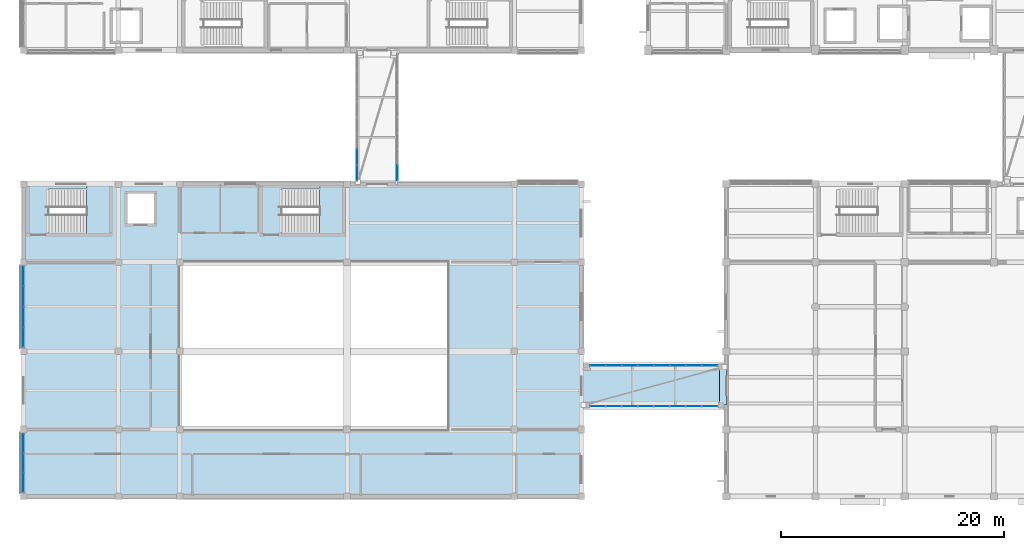
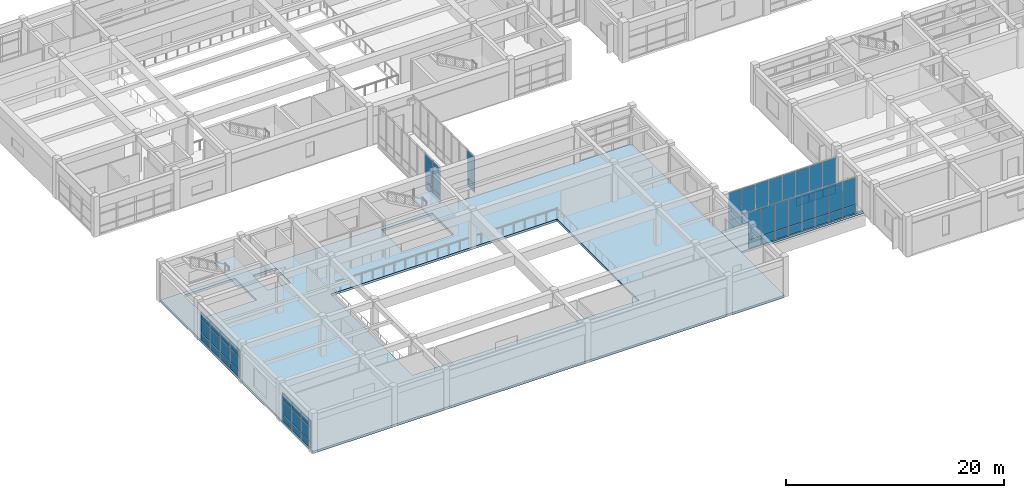
# One storey, part 37 of 72: 60 plates, 4 slabs, 8 elements without a shape of their own.
"""IFC4 building model written with IfcOpenShell, lengths in metres."""

from ifc_helpers import new_model, si_unit, direction, frame, origin, origin_2d, place, context, subcontext, project, spatial, polyline, rectangle, outline, extrude, material, layer, layer_set, type_object, element, aggregate, save


model = new_model("IFC4")

# Units and contexts
model_context = context("Model", 3, precision=1e-05, world=origin(), true_north=direction((0.0, 1.0)))
body_context = subcontext(model_context, "Body", "Model", "MODEL_VIEW")
ifc_project = project(units=[si_unit("LENGTHUNIT", "METRE"), si_unit("AREAUNIT", "SQUARE_METRE"), si_unit("VOLUMEUNIT", "CUBIC_METRE"), si_unit("PLANEANGLEUNIT", "RADIAN"), si_unit("MASSUNIT", "GRAM", prefix="KILO")], contexts=[model_context])

# Site, building, storey
site_placement = place(None, origin())
site = spatial("IfcSite", under=ifc_project, at=site_placement, CompositionType="ELEMENT")
building_placement = place(site_placement, origin())
building = spatial("IfcBuilding", under=site, at=building_placement, Name="Naurynzar Civic Courthouse", CompositionType="ELEMENT")
storey_placement = place(building_placement, frame((0.0, 0.0, 9.89990234375)))
storey = spatial("IfcBuildingStorey", under=building, at=storey_placement, Name="L03", CompositionType="ELEMENT", Elevation=9.89990234375)

# Curtain wall, plates
ifc_material_1 = material(Name="Aluminium 6063-T6", Category="aluminium")
ifc_layer_1 = layer(ifc_material_1, 0.14990234375)
ifc_layer_set_1 = layer_set([ifc_layer_1], Name="CW-BRIDGE-1500")
curtain_wall_type_1 = type_object("IfcCurtainWallType", Name="CW-BRIDGE-1500", PredefinedType="USERDEFINED", material=ifc_layer_set_1)
curtain_wall_1_placement = place(storey_placement, origin())
curtain_wall_1 = element("IfcCurtainWall", 1, at=curtain_wall_1_placement, inside=storey, type_object=curtain_wall_type_1, Name="BR-W1 glazed bridge screen L03.1", ObjectType="GLAZED BRIDGE SCREEN", PredefinedType="USERDEFINED")
ifc_material_2 = material(Name="Tempered Laminated Low-E Glass", Category="glass")
ifc_layer_2 = layer(ifc_material_2, 0.031982421875)
ifc_layer_set_2 = layer_set([ifc_layer_2], Name="CWP-IGU-32")
plate_type_1 = type_object("IfcPlateType", Name="CWP-IGU-32", PredefinedType="CURTAIN_PANEL", material=ifc_layer_set_2)
plate_1_placement = place(storey_placement, frame((35.8798828125, 34.4375, 0.06005859375), z_axis=(0.0, 0.0, 1.0), x_axis=(0.0, -1.0, 0.0)))
plate_1 = element("IfcPlate", 2, at=plate_1_placement, type_object=plate_type_1, Name="CW-03 panel 7.1", PredefinedType="CURTAIN_PANEL", context=body_context, shape_type="SweptSolid", body=[
    extrude(rectangle(XDim=1.364990234375, YDim=0.031982421875, at=origin_2d()), origin(), (0.0, 0.0, 1.0), 0.909912109375),
])
plate_2_placement = place(storey_placement, frame((35.8798828125, 34.4375, 1.0302734375), z_axis=(0.0, 0.0, 1.0), x_axis=(0.0, -1.0, 0.0)))
plate_2 = element("IfcPlate", 3, at=plate_2_placement, type_object=plate_type_1, Name="CW-03 panel 7.2", PredefinedType="CURTAIN_PANEL", context=body_context, shape_type="SweptSolid", body=[
    extrude(rectangle(XDim=1.364990234375, YDim=0.031982421875, at=origin_2d()), origin(), (0.0, 0.0, 1.0), 3.030029296875),
])
plate_3_placement = place(storey_placement, frame((35.8798828125, 33.027587890625, 0.06005859375), z_axis=(0.0, 0.0, 1.0), x_axis=(0.0, -1.0, 0.0)))
plate_3 = element("IfcPlate", 4, at=plate_3_placement, type_object=plate_type_1, Name="CW-03 panel 8.1", PredefinedType="CURTAIN_PANEL", context=body_context, shape_type="SweptSolid", body=[
    extrude(rectangle(XDim=1.3349609375, YDim=0.031982421875, at=origin_2d()), origin(), (0.0, 0.0, 1.0), 0.909912109375),
])
plate_4_placement = place(storey_placement, frame((35.8798828125, 33.027587890625, 1.0302734375), z_axis=(0.0, 0.0, 1.0), x_axis=(0.0, -1.0, 0.0)))
plate_4 = element("IfcPlate", 5, at=plate_4_placement, type_object=plate_type_1, Name="CW-03 panel 8.2", PredefinedType="CURTAIN_PANEL", context=body_context, shape_type="SweptSolid", body=[
    extrude(rectangle(XDim=1.3349609375, YDim=0.031982421875, at=origin_2d()), origin(), (0.0, 0.0, 1.0), 3.030029296875),
])
aggregate(curtain_wall_1, [plate_1, plate_2, plate_3, plate_4])

curtain_wall_2_placement = place(storey_placement, origin())
curtain_wall_2 = element("IfcCurtainWall", 6, at=curtain_wall_2_placement, inside=storey, type_object=curtain_wall_type_1, Name="BR-W1 glazed bridge screen L03.2", ObjectType="GLAZED BRIDGE SCREEN", PredefinedType="USERDEFINED")
plate_5_placement = place(storey_placement, frame((39.52001953125, 33.027587890625, 0.06005859375), z_axis=(0.0, 0.0, 1.0), x_axis=(0.0, 1.0, 0.0)))
plate_5 = element("IfcPlate", 7, at=plate_5_placement, type_object=plate_type_1, Name="CW-03 panel 1.1", PredefinedType="CURTAIN_PANEL", context=body_context, shape_type="SweptSolid", body=[
    extrude(rectangle(XDim=1.3349609375, YDim=0.031982421875, at=origin_2d()), origin(), (0.0, 0.0, 1.0), 0.909912109375),
])
plate_6_placement = place(storey_placement, frame((39.52001953125, 33.027587890625, 1.0302734375), z_axis=(0.0, 0.0, 1.0), x_axis=(0.0, 1.0, 0.0)))
plate_6 = element("IfcPlate", 8, at=plate_6_placement, type_object=plate_type_1, Name="CW-03 panel 1.2", PredefinedType="CURTAIN_PANEL", context=body_context, shape_type="SweptSolid", body=[
    extrude(rectangle(XDim=1.3349609375, YDim=0.031982421875, at=origin_2d()), origin(), (0.0, 0.0, 1.0), 3.030029296875),
])
aggregate(curtain_wall_2, [plate_5, plate_6])

curtain_wall_3_placement = place(storey_placement, origin())
curtain_wall_3 = element("IfcCurtainWall", 9, at=curtain_wall_3_placement, inside=storey, type_object=curtain_wall_type_1, Name="BR-S1 glazed bridge screen L03.1", ObjectType="GLAZED BRIDGE SCREEN", PredefinedType="USERDEFINED")
plate_7_placement = place(storey_placement, frame((57.492431640625, 12.080078125, 0.06005859375), z_axis=(0.0, 0.0, 1.0), x_axis=(1.0, 0.0, 0.0)))
plate_7 = element("IfcPlate", 10, at=plate_7_placement, type_object=plate_type_1, Name="CW-03 panel 1.1", PredefinedType="CURTAIN_PANEL", context=body_context, shape_type="SweptSolid", body=[
    extrude(rectangle(XDim=1.344970703125, YDim=0.031982421875, at=origin_2d()), origin(), (0.0, 0.0, 1.0), 0.909912109375),
])
plate_8_placement = place(storey_placement, frame((57.492431640625, 12.080078125, 1.0302734375), z_axis=(0.0, 0.0, 1.0), x_axis=(1.0, 0.0, 0.0)))
plate_8 = element("IfcPlate", 11, at=plate_8_placement, type_object=plate_type_1, Name="CW-03 panel 1.2", PredefinedType="CURTAIN_PANEL", context=body_context, shape_type="SweptSolid", body=[
    extrude(rectangle(XDim=1.344970703125, YDim=0.031982421875, at=origin_2d()), origin(), (0.0, 0.0, 1.0), 3.030029296875),
])
plate_9_placement = place(storey_placement, frame((58.91259765625, 12.080078125, 0.06005859375), z_axis=(0.0, 0.0, 1.0), x_axis=(1.0, 0.0, 0.0)))
plate_9 = element("IfcPlate", 12, at=plate_9_placement, type_object=plate_type_1, Name="CW-03 panel 2.1", PredefinedType="CURTAIN_PANEL", context=body_context, shape_type="SweptSolid", body=[
    extrude(rectangle(XDim=1.375, YDim=0.031982421875, at=origin_2d()), origin(), (0.0, 0.0, 1.0), 0.909912109375),
])
plate_10_placement = place(storey_placement, frame((58.91259765625, 12.080078125, 1.0302734375), z_axis=(0.0, 0.0, 1.0), x_axis=(1.0, 0.0, 0.0)))
plate_10 = element("IfcPlate", 13, at=plate_10_placement, type_object=plate_type_1, Name="CW-03 panel 2.2", PredefinedType="CURTAIN_PANEL", context=body_context, shape_type="SweptSolid", body=[
    extrude(rectangle(XDim=1.375, YDim=0.031982421875, at=origin_2d()), origin(), (0.0, 0.0, 1.0), 3.030029296875),
])
plate_11_placement = place(storey_placement, frame((60.347412109375, 12.080078125, 0.06005859375), z_axis=(0.0, 0.0, 1.0), x_axis=(1.0, 0.0, 0.0)))
plate_11 = element("IfcPlate", 14, at=plate_11_placement, type_object=plate_type_1, Name="CW-03 panel 3.1", PredefinedType="CURTAIN_PANEL", context=body_context, shape_type="SweptSolid", body=[
    extrude(rectangle(XDim=1.375, YDim=0.031982421875, at=origin_2d()), origin(), (0.0, 0.0, 1.0), 0.909912109375),
])
plate_12_placement = place(storey_placement, frame((60.347412109375, 12.080078125, 1.0302734375), z_axis=(0.0, 0.0, 1.0), x_axis=(1.0, 0.0, 0.0)))
plate_12 = element("IfcPlate", 15, at=plate_12_placement, type_object=plate_type_1, Name="CW-03 panel 3.2", PredefinedType="CURTAIN_PANEL", context=body_context, shape_type="SweptSolid", body=[
    extrude(rectangle(XDim=1.375, YDim=0.031982421875, at=origin_2d()), origin(), (0.0, 0.0, 1.0), 3.030029296875),
])
plate_13_placement = place(storey_placement, frame((61.782470703125, 12.080078125, 0.06005859375), z_axis=(0.0, 0.0, 1.0), x_axis=(1.0, 0.0, 0.0)))
plate_13 = element("IfcPlate", 16, at=plate_13_placement, type_object=plate_type_1, Name="CW-03 panel 4.1", PredefinedType="CURTAIN_PANEL", context=body_context, shape_type="SweptSolid", body=[
    extrude(rectangle(XDim=1.375, YDim=0.031982421875, at=origin_2d()), origin(), (0.0, 0.0, 1.0), 0.909912109375),
])
plate_14_placement = place(storey_placement, frame((61.782470703125, 12.080078125, 1.0302734375), z_axis=(0.0, 0.0, 1.0), x_axis=(1.0, 0.0, 0.0)))
plate_14 = element("IfcPlate", 17, at=plate_14_placement, type_object=plate_type_1, Name="CW-03 panel 4.2", PredefinedType="CURTAIN_PANEL", context=body_context, shape_type="SweptSolid", body=[
    extrude(rectangle(XDim=1.375, YDim=0.031982421875, at=origin_2d()), origin(), (0.0, 0.0, 1.0), 3.030029296875),
])
plate_15_placement = place(storey_placement, frame((63.217529296875, 12.080078125, 0.06005859375), z_axis=(0.0, 0.0, 1.0), x_axis=(1.0, 0.0, 0.0)))
plate_15 = element("IfcPlate", 18, at=plate_15_placement, type_object=plate_type_1, Name="CW-03 panel 5.1", PredefinedType="CURTAIN_PANEL", context=body_context, shape_type="SweptSolid", body=[
    extrude(rectangle(XDim=1.375, YDim=0.031982421875, at=origin_2d()), origin(), (0.0, 0.0, 1.0), 0.909912109375),
])
plate_16_placement = place(storey_placement, frame((63.217529296875, 12.080078125, 1.0302734375), z_axis=(0.0, 0.0, 1.0), x_axis=(1.0, 0.0, 0.0)))
plate_16 = element("IfcPlate", 19, at=plate_16_placement, type_object=plate_type_1, Name="CW-03 panel 5.2", PredefinedType="CURTAIN_PANEL", context=body_context, shape_type="SweptSolid", body=[
    extrude(rectangle(XDim=1.375, YDim=0.031982421875, at=origin_2d()), origin(), (0.0, 0.0, 1.0), 3.030029296875),
])
plate_17_placement = place(storey_placement, frame((64.652587890625, 12.080078125, 0.06005859375), z_axis=(0.0, 0.0, 1.0), x_axis=(1.0, 0.0, 0.0)))
plate_17 = element("IfcPlate", 20, at=plate_17_placement, type_object=plate_type_1, Name="CW-03 panel 6.1", PredefinedType="CURTAIN_PANEL", context=body_context, shape_type="SweptSolid", body=[
    extrude(rectangle(XDim=1.375, YDim=0.031982421875, at=origin_2d()), origin(), (0.0, 0.0, 1.0), 0.909912109375),
])
plate_18_placement = place(storey_placement, frame((64.652587890625, 12.080078125, 1.0302734375), z_axis=(0.0, 0.0, 1.0), x_axis=(1.0, 0.0, 0.0)))
plate_18 = element("IfcPlate", 21, at=plate_18_placement, type_object=plate_type_1, Name="CW-03 panel 6.2", PredefinedType="CURTAIN_PANEL", context=body_context, shape_type="SweptSolid", body=[
    extrude(rectangle(XDim=1.375, YDim=0.031982421875, at=origin_2d()), origin(), (0.0, 0.0, 1.0), 3.030029296875),
])
plate_19_placement = place(storey_placement, frame((66.08740234375, 12.080078125, 0.06005859375), z_axis=(0.0, 0.0, 1.0), x_axis=(1.0, 0.0, 0.0)))
plate_19 = element("IfcPlate", 22, at=plate_19_placement, type_object=plate_type_1, Name="CW-03 panel 7.1", PredefinedType="CURTAIN_PANEL", context=body_context, shape_type="SweptSolid", body=[
    extrude(rectangle(XDim=1.375, YDim=0.031982421875, at=origin_2d()), origin(), (0.0, 0.0, 1.0), 0.909912109375),
])
plate_20_placement = place(storey_placement, frame((66.08740234375, 12.080078125, 1.0302734375), z_axis=(0.0, 0.0, 1.0), x_axis=(1.0, 0.0, 0.0)))
plate_20 = element("IfcPlate", 23, at=plate_20_placement, type_object=plate_type_1, Name="CW-03 panel 7.2", PredefinedType="CURTAIN_PANEL", context=body_context, shape_type="SweptSolid", body=[
    extrude(rectangle(XDim=1.375, YDim=0.031982421875, at=origin_2d()), origin(), (0.0, 0.0, 1.0), 3.030029296875),
])
plate_21_placement = place(storey_placement, frame((67.507568359375, 12.080078125, 0.06005859375), z_axis=(0.0, 0.0, 1.0), x_axis=(1.0, 0.0, 0.0)))
plate_21 = element("IfcPlate", 24, at=plate_21_placement, type_object=plate_type_1, Name="CW-03 panel 8.1", PredefinedType="CURTAIN_PANEL", context=body_context, shape_type="SweptSolid", body=[
    extrude(rectangle(XDim=1.344970703125, YDim=0.031982421875, at=origin_2d()), origin(), (0.0, 0.0, 1.0), 0.909912109375),
])
plate_22_placement = place(storey_placement, frame((67.507568359375, 12.080078125, 1.0302734375), z_axis=(0.0, 0.0, 1.0), x_axis=(1.0, 0.0, 0.0)))
plate_22 = element("IfcPlate", 25, at=plate_22_placement, type_object=plate_type_1, Name="CW-03 panel 8.2", PredefinedType="CURTAIN_PANEL", context=body_context, shape_type="SweptSolid", body=[
    extrude(rectangle(XDim=1.344970703125, YDim=0.031982421875, at=origin_2d()), origin(), (0.0, 0.0, 1.0), 3.030029296875),
])
aggregate(curtain_wall_3, [plate_7, plate_8, plate_9, plate_10, plate_11, plate_12, plate_13, plate_14, plate_15, plate_16, plate_17, plate_18, plate_19, plate_20, plate_21, plate_22])

curtain_wall_4_placement = place(storey_placement, origin())
curtain_wall_4 = element("IfcCurtainWall", 26, at=curtain_wall_4_placement, inside=storey, type_object=curtain_wall_type_1, Name="BR-S1 glazed bridge screen L03.2", ObjectType="GLAZED BRIDGE SCREEN", PredefinedType="USERDEFINED")
plate_23_placement = place(storey_placement, frame((67.507568359375, 15.719970703125, 0.06005859375), z_axis=(0.0, 0.0, 1.0), x_axis=(-1.0, 0.0, 0.0)))
plate_23 = element("IfcPlate", 27, at=plate_23_placement, type_object=plate_type_1, Name="CW-03 panel 1.1", PredefinedType="CURTAIN_PANEL", context=body_context, shape_type="SweptSolid", body=[
    extrude(rectangle(XDim=1.344970703125, YDim=0.031982421875, at=origin_2d()), origin(), (0.0, 0.0, 1.0), 0.909912109375),
])
plate_24_placement = place(storey_placement, frame((67.507568359375, 15.719970703125, 1.0302734375), z_axis=(0.0, 0.0, 1.0), x_axis=(-1.0, 0.0, 0.0)))
plate_24 = element("IfcPlate", 28, at=plate_24_placement, type_object=plate_type_1, Name="CW-03 panel 1.2", PredefinedType="CURTAIN_PANEL", context=body_context, shape_type="SweptSolid", body=[
    extrude(rectangle(XDim=1.344970703125, YDim=0.031982421875, at=origin_2d()), origin(), (0.0, 0.0, 1.0), 3.030029296875),
])
plate_25_placement = place(storey_placement, frame((66.08740234375, 15.719970703125, 0.06005859375), z_axis=(0.0, 0.0, 1.0), x_axis=(-1.0, 0.0, 0.0)))
plate_25 = element("IfcPlate", 29, at=plate_25_placement, type_object=plate_type_1, Name="CW-03 panel 2.1", PredefinedType="CURTAIN_PANEL", context=body_context, shape_type="SweptSolid", body=[
    extrude(rectangle(XDim=1.375, YDim=0.031982421875, at=origin_2d()), origin(), (0.0, 0.0, 1.0), 0.909912109375),
])
plate_26_placement = place(storey_placement, frame((66.08740234375, 15.719970703125, 1.0302734375), z_axis=(0.0, 0.0, 1.0), x_axis=(-1.0, 0.0, 0.0)))
plate_26 = element("IfcPlate", 30, at=plate_26_placement, type_object=plate_type_1, Name="CW-03 panel 2.2", PredefinedType="CURTAIN_PANEL", context=body_context, shape_type="SweptSolid", body=[
    extrude(rectangle(XDim=1.375, YDim=0.031982421875, at=origin_2d()), origin(), (0.0, 0.0, 1.0), 3.030029296875),
])
plate_27_placement = place(storey_placement, frame((64.652587890625, 15.719970703125, 0.06005859375), z_axis=(0.0, 0.0, 1.0), x_axis=(-1.0, 0.0, 0.0)))
plate_27 = element("IfcPlate", 31, at=plate_27_placement, type_object=plate_type_1, Name="CW-03 panel 3.1", PredefinedType="CURTAIN_PANEL", context=body_context, shape_type="SweptSolid", body=[
    extrude(rectangle(XDim=1.375, YDim=0.031982421875, at=origin_2d()), origin(), (0.0, 0.0, 1.0), 0.909912109375),
])
plate_28_placement = place(storey_placement, frame((64.652587890625, 15.719970703125, 1.0302734375), z_axis=(0.0, 0.0, 1.0), x_axis=(-1.0, 0.0, 0.0)))
plate_28 = element("IfcPlate", 32, at=plate_28_placement, type_object=plate_type_1, Name="CW-03 panel 3.2", PredefinedType="CURTAIN_PANEL", context=body_context, shape_type="SweptSolid", body=[
    extrude(rectangle(XDim=1.375, YDim=0.031982421875, at=origin_2d()), origin(), (0.0, 0.0, 1.0), 3.030029296875),
])
plate_29_placement = place(storey_placement, frame((63.217529296875, 15.719970703125, 0.06005859375), z_axis=(0.0, 0.0, 1.0), x_axis=(-1.0, 0.0, 0.0)))
plate_29 = element("IfcPlate", 33, at=plate_29_placement, type_object=plate_type_1, Name="CW-03 panel 4.1", PredefinedType="CURTAIN_PANEL", context=body_context, shape_type="SweptSolid", body=[
    extrude(rectangle(XDim=1.375, YDim=0.031982421875, at=origin_2d()), origin(), (0.0, 0.0, 1.0), 0.909912109375),
])
plate_30_placement = place(storey_placement, frame((63.217529296875, 15.719970703125, 1.0302734375), z_axis=(0.0, 0.0, 1.0), x_axis=(-1.0, 0.0, 0.0)))
plate_30 = element("IfcPlate", 34, at=plate_30_placement, type_object=plate_type_1, Name="CW-03 panel 4.2", PredefinedType="CURTAIN_PANEL", context=body_context, shape_type="SweptSolid", body=[
    extrude(rectangle(XDim=1.375, YDim=0.031982421875, at=origin_2d()), origin(), (0.0, 0.0, 1.0), 3.030029296875),
])
plate_31_placement = place(storey_placement, frame((61.782470703125, 15.719970703125, 0.06005859375), z_axis=(0.0, 0.0, 1.0), x_axis=(-1.0, 0.0, 0.0)))
plate_31 = element("IfcPlate", 35, at=plate_31_placement, type_object=plate_type_1, Name="CW-03 panel 5.1", PredefinedType="CURTAIN_PANEL", context=body_context, shape_type="SweptSolid", body=[
    extrude(rectangle(XDim=1.375, YDim=0.031982421875, at=origin_2d()), origin(), (0.0, 0.0, 1.0), 0.909912109375),
])
plate_32_placement = place(storey_placement, frame((61.782470703125, 15.719970703125, 1.0302734375), z_axis=(0.0, 0.0, 1.0), x_axis=(-1.0, 0.0, 0.0)))
plate_32 = element("IfcPlate", 36, at=plate_32_placement, type_object=plate_type_1, Name="CW-03 panel 5.2", PredefinedType="CURTAIN_PANEL", context=body_context, shape_type="SweptSolid", body=[
    extrude(rectangle(XDim=1.375, YDim=0.031982421875, at=origin_2d()), origin(), (0.0, 0.0, 1.0), 3.030029296875),
])
plate_33_placement = place(storey_placement, frame((60.347412109375, 15.719970703125, 0.06005859375), z_axis=(0.0, 0.0, 1.0), x_axis=(-1.0, 0.0, 0.0)))
plate_33 = element("IfcPlate", 37, at=plate_33_placement, type_object=plate_type_1, Name="CW-03 panel 6.1", PredefinedType="CURTAIN_PANEL", context=body_context, shape_type="SweptSolid", body=[
    extrude(rectangle(XDim=1.375, YDim=0.031982421875, at=origin_2d()), origin(), (0.0, 0.0, 1.0), 0.909912109375),
])
plate_34_placement = place(storey_placement, frame((60.347412109375, 15.719970703125, 1.0302734375), z_axis=(0.0, 0.0, 1.0), x_axis=(-1.0, 0.0, 0.0)))
plate_34 = element("IfcPlate", 38, at=plate_34_placement, type_object=plate_type_1, Name="CW-03 panel 6.2", PredefinedType="CURTAIN_PANEL", context=body_context, shape_type="SweptSolid", body=[
    extrude(rectangle(XDim=1.375, YDim=0.031982421875, at=origin_2d()), origin(), (0.0, 0.0, 1.0), 3.030029296875),
])
plate_35_placement = place(storey_placement, frame((58.91259765625, 15.719970703125, 0.06005859375), z_axis=(0.0, 0.0, 1.0), x_axis=(-1.0, 0.0, 0.0)))
plate_35 = element("IfcPlate", 39, at=plate_35_placement, type_object=plate_type_1, Name="CW-03 panel 7.1", PredefinedType="CURTAIN_PANEL", context=body_context, shape_type="SweptSolid", body=[
    extrude(rectangle(XDim=1.375, YDim=0.031982421875, at=origin_2d()), origin(), (0.0, 0.0, 1.0), 0.909912109375),
])
plate_36_placement = place(storey_placement, frame((58.91259765625, 15.719970703125, 1.0302734375), z_axis=(0.0, 0.0, 1.0), x_axis=(-1.0, 0.0, 0.0)))
plate_36 = element("IfcPlate", 40, at=plate_36_placement, type_object=plate_type_1, Name="CW-03 panel 7.2", PredefinedType="CURTAIN_PANEL", context=body_context, shape_type="SweptSolid", body=[
    extrude(rectangle(XDim=1.375, YDim=0.031982421875, at=origin_2d()), origin(), (0.0, 0.0, 1.0), 3.030029296875),
])
plate_37_placement = place(storey_placement, frame((57.492431640625, 15.719970703125, 0.06005859375), z_axis=(0.0, 0.0, 1.0), x_axis=(-1.0, 0.0, 0.0)))
plate_37 = element("IfcPlate", 41, at=plate_37_placement, type_object=plate_type_1, Name="CW-03 panel 8.1", PredefinedType="CURTAIN_PANEL", context=body_context, shape_type="SweptSolid", body=[
    extrude(rectangle(XDim=1.344970703125, YDim=0.031982421875, at=origin_2d()), origin(), (0.0, 0.0, 1.0), 0.909912109375),
])
plate_38_placement = place(storey_placement, frame((57.492431640625, 15.719970703125, 1.0302734375), z_axis=(0.0, 0.0, 1.0), x_axis=(-1.0, 0.0, 0.0)))
plate_38 = element("IfcPlate", 42, at=plate_38_placement, type_object=plate_type_1, Name="CW-03 panel 8.2", PredefinedType="CURTAIN_PANEL", context=body_context, shape_type="SweptSolid", body=[
    extrude(rectangle(XDim=1.344970703125, YDim=0.031982421875, at=origin_2d()), origin(), (0.0, 0.0, 1.0), 3.030029296875),
])
aggregate(curtain_wall_4, [plate_23, plate_24, plate_25, plate_26, plate_27, plate_28, plate_29, plate_30, plate_31, plate_32, plate_33, plate_34, plate_35, plate_36, plate_37, plate_38])

ifc_material_3 = material(Name="Aluminium 6063-T6", Category="aluminium")
ifc_layer_3 = layer(ifc_material_3, 0.159912109375)
ifc_layer_set_3 = layer_set([ifc_layer_3], Name="CW-UNIT-1800")
curtain_wall_type_2 = type_object("IfcCurtainWallType", Name="CW-UNIT-1800", PredefinedType="NOTDEFINED", material=ifc_layer_set_3)
curtain_wall_5_placement = place(storey_placement, origin())
curtain_wall_5 = element("IfcCurtainWall", 43, at=curtain_wall_5_placement, inside=storey, type_object=curtain_wall_type_2, Name="V4 unitised curtain wall 77 L03", PredefinedType="NOTDEFINED")
ifc_material_4 = material(Name="Tempered Laminated Low-E Glass", Category="glass")
ifc_layer_4 = layer(ifc_material_4, 0.035888671875)
ifc_layer_set_4 = layer_set([ifc_layer_4], Name="CWP-IGU-36")
plate_type_2 = type_object("IfcPlateType", Name="CWP-IGU-36", PredefinedType="CURTAIN_PANEL", material=ifc_layer_set_4)
plate_39_placement = place(storey_placement, frame((6.0, 5.250732421875, 0.070068359375), z_axis=(0.0, 0.0, 1.0), x_axis=(0.0, 1.0, 0.0)))
plate_39 = element("IfcPlate", 44, at=plate_39_placement, type_object=plate_type_2, Name="CW-02 panel 1.1", PredefinedType="CURTAIN_PANEL", context=body_context, shape_type="SweptSolid", body=[
    extrude(rectangle(XDim=1.66162109375, YDim=0.035888671875, at=origin_2d()), origin(), (0.0, 0.0, 1.0), 0.7451171875),
])
plate_40_placement = place(storey_placement, frame((6.0, 5.250732421875, 0.88525390625), z_axis=(0.0, 0.0, 1.0), x_axis=(0.0, 1.0, 0.0)))
plate_40 = element("IfcPlate", 45, at=plate_40_placement, type_object=plate_type_2, Name="CW-02 panel 1.2", PredefinedType="CURTAIN_PANEL", context=body_context, shape_type="SweptSolid", body=[
    extrude(rectangle(XDim=1.66162109375, YDim=0.035888671875, at=origin_2d()), origin(), (0.0, 0.0, 1.0), 1.489990234375),
])
plate_41_placement = place(storey_placement, frame((6.0, 5.250732421875, 2.445068359375), z_axis=(0.0, 0.0, 1.0), x_axis=(0.0, 1.0, 0.0)))
plate_41 = element("IfcPlate", 46, at=plate_41_placement, type_object=plate_type_2, Name="CW-02 panel 1.3", PredefinedType="CURTAIN_PANEL", context=body_context, shape_type="SweptSolid", body=[
    extrude(rectangle(XDim=1.66162109375, YDim=0.035888671875, at=origin_2d()), origin(), (0.0, 0.0, 1.0), 0.7451171875),
])
plate_42_placement = place(storey_placement, frame((6.0, 7.0, 0.070068359375), z_axis=(0.0, 0.0, 1.0), x_axis=(0.0, 1.0, 0.0)))
plate_42 = element("IfcPlate", 47, at=plate_42_placement, type_object=plate_type_2, Name="CW-02 panel 2.1", PredefinedType="CURTAIN_PANEL", context=body_context, shape_type="SweptSolid", body=[
    extrude(rectangle(XDim=1.69677734375, YDim=0.035888671875, at=origin_2d()), origin(), (0.0, 0.0, 1.0), 0.7451171875),
])
plate_43_placement = place(storey_placement, frame((6.0, 7.0, 0.88525390625), z_axis=(0.0, 0.0, 1.0), x_axis=(0.0, 1.0, 0.0)))
plate_43 = element("IfcPlate", 48, at=plate_43_placement, type_object=plate_type_2, Name="CW-02 panel 2.2", PredefinedType="CURTAIN_PANEL", context=body_context, shape_type="SweptSolid", body=[
    extrude(rectangle(XDim=1.69677734375, YDim=0.035888671875, at=origin_2d()), origin(), (0.0, 0.0, 1.0), 1.489990234375),
])
plate_44_placement = place(storey_placement, frame((6.0, 7.0, 2.445068359375), z_axis=(0.0, 0.0, 1.0), x_axis=(0.0, 1.0, 0.0)))
plate_44 = element("IfcPlate", 49, at=plate_44_placement, type_object=plate_type_2, Name="CW-02 panel 2.3", PredefinedType="CURTAIN_PANEL", context=body_context, shape_type="SweptSolid", body=[
    extrude(rectangle(XDim=1.69677734375, YDim=0.035888671875, at=origin_2d()), origin(), (0.0, 0.0, 1.0), 0.7451171875),
])
plate_45_placement = place(storey_placement, frame((6.0, 8.749267578125, 0.070068359375), z_axis=(0.0, 0.0, 1.0), x_axis=(0.0, 1.0, 0.0)))
plate_45 = element("IfcPlate", 50, at=plate_45_placement, type_object=plate_type_2, Name="CW-02 panel 3.1", PredefinedType="CURTAIN_PANEL", context=body_context, shape_type="SweptSolid", body=[
    extrude(rectangle(XDim=1.66162109375, YDim=0.035888671875, at=origin_2d()), origin(), (0.0, 0.0, 1.0), 0.7451171875),
])
plate_46_placement = place(storey_placement, frame((6.0, 8.749267578125, 0.88525390625), z_axis=(0.0, 0.0, 1.0), x_axis=(0.0, 1.0, 0.0)))
plate_46 = element("IfcPlate", 51, at=plate_46_placement, type_object=plate_type_2, Name="CW-02 panel 3.2", PredefinedType="CURTAIN_PANEL", context=body_context, shape_type="SweptSolid", body=[
    extrude(rectangle(XDim=1.66162109375, YDim=0.035888671875, at=origin_2d()), origin(), (0.0, 0.0, 1.0), 1.489990234375),
])
plate_47_placement = place(storey_placement, frame((6.0, 8.749267578125, 2.445068359375), z_axis=(0.0, 0.0, 1.0), x_axis=(0.0, 1.0, 0.0)))
plate_47 = element("IfcPlate", 52, at=plate_47_placement, type_object=plate_type_2, Name="CW-02 panel 3.3", PredefinedType="CURTAIN_PANEL", context=body_context, shape_type="SweptSolid", body=[
    extrude(rectangle(XDim=1.66162109375, YDim=0.035888671875, at=origin_2d()), origin(), (0.0, 0.0, 1.0), 0.7451171875),
])
aggregate(curtain_wall_5, [plate_39, plate_40, plate_41, plate_42, plate_43, plate_44, plate_45, plate_46, plate_47])

curtain_wall_6_placement = place(storey_placement, origin())
curtain_wall_6 = element("IfcCurtainWall", 53, at=curtain_wall_6_placement, inside=storey, type_object=curtain_wall_type_2, Name="V4 unitised curtain wall 78 L03", PredefinedType="NOTDEFINED")
plate_48_placement = place(storey_placement, frame((6.0, 18.280029296875, 0.070068359375), z_axis=(0.0, 0.0, 1.0), x_axis=(0.0, 1.0, 0.0)))
plate_48 = element("IfcPlate", 54, at=plate_48_placement, type_object=plate_type_2, Name="CW-02 panel 1.1", PredefinedType="CURTAIN_PANEL", context=body_context, shape_type="SweptSolid", body=[
    extrude(rectangle(XDim=1.719970703125, YDim=0.035888671875, at=origin_2d()), origin(), (0.0, 0.0, 1.0), 0.7451171875),
])
plate_49_placement = place(storey_placement, frame((6.0, 18.280029296875, 0.88525390625), z_axis=(0.0, 0.0, 1.0), x_axis=(0.0, 1.0, 0.0)))
plate_49 = element("IfcPlate", 55, at=plate_49_placement, type_object=plate_type_2, Name="CW-02 panel 1.2", PredefinedType="CURTAIN_PANEL", context=body_context, shape_type="SweptSolid", body=[
    extrude(rectangle(XDim=1.719970703125, YDim=0.035888671875, at=origin_2d()), origin(), (0.0, 0.0, 1.0), 1.489990234375),
])
plate_50_placement = place(storey_placement, frame((6.0, 18.280029296875, 2.445068359375), z_axis=(0.0, 0.0, 1.0), x_axis=(0.0, 1.0, 0.0)))
plate_50 = element("IfcPlate", 56, at=plate_50_placement, type_object=plate_type_2, Name="CW-02 panel 1.3", PredefinedType="CURTAIN_PANEL", context=body_context, shape_type="SweptSolid", body=[
    extrude(rectangle(XDim=1.719970703125, YDim=0.035888671875, at=origin_2d()), origin(), (0.0, 0.0, 1.0), 0.7451171875),
])
plate_51_placement = place(storey_placement, frame((6.0, 20.08740234375, 0.070068359375), z_axis=(0.0, 0.0, 1.0), x_axis=(0.0, 1.0, 0.0)))
plate_51 = element("IfcPlate", 57, at=plate_51_placement, type_object=plate_type_2, Name="CW-02 panel 2.1", PredefinedType="CURTAIN_PANEL", context=body_context, shape_type="SweptSolid", body=[
    extrude(rectangle(XDim=1.7548828125, YDim=0.035888671875, at=origin_2d()), origin(), (0.0, 0.0, 1.0), 0.7451171875),
])
plate_52_placement = place(storey_placement, frame((6.0, 20.08740234375, 0.88525390625), z_axis=(0.0, 0.0, 1.0), x_axis=(0.0, 1.0, 0.0)))
plate_52 = element("IfcPlate", 58, at=plate_52_placement, type_object=plate_type_2, Name="CW-02 panel 2.2", PredefinedType="CURTAIN_PANEL", context=body_context, shape_type="SweptSolid", body=[
    extrude(rectangle(XDim=1.7548828125, YDim=0.035888671875, at=origin_2d()), origin(), (0.0, 0.0, 1.0), 1.489990234375),
])
plate_53_placement = place(storey_placement, frame((6.0, 20.08740234375, 2.445068359375), z_axis=(0.0, 0.0, 1.0), x_axis=(0.0, 1.0, 0.0)))
plate_53 = element("IfcPlate", 59, at=plate_53_placement, type_object=plate_type_2, Name="CW-02 panel 2.3", PredefinedType="CURTAIN_PANEL", context=body_context, shape_type="SweptSolid", body=[
    extrude(rectangle(XDim=1.7548828125, YDim=0.035888671875, at=origin_2d()), origin(), (0.0, 0.0, 1.0), 0.7451171875),
])
plate_54_placement = place(storey_placement, frame((6.0, 21.91259765625, 0.070068359375), z_axis=(0.0, 0.0, 1.0), x_axis=(0.0, 1.0, 0.0)))
plate_54 = element("IfcPlate", 60, at=plate_54_placement, type_object=plate_type_2, Name="CW-02 panel 3.1", PredefinedType="CURTAIN_PANEL", context=body_context, shape_type="SweptSolid", body=[
    extrude(rectangle(XDim=1.7548828125, YDim=0.035888671875, at=origin_2d()), origin(), (0.0, 0.0, 1.0), 0.7451171875),
])
plate_55_placement = place(storey_placement, frame((6.0, 21.91259765625, 0.88525390625), z_axis=(0.0, 0.0, 1.0), x_axis=(0.0, 1.0, 0.0)))
plate_55 = element("IfcPlate", 61, at=plate_55_placement, type_object=plate_type_2, Name="CW-02 panel 3.2", PredefinedType="CURTAIN_PANEL", context=body_context, shape_type="SweptSolid", body=[
    extrude(rectangle(XDim=1.7548828125, YDim=0.035888671875, at=origin_2d()), origin(), (0.0, 0.0, 1.0), 1.489990234375),
])
plate_56_placement = place(storey_placement, frame((6.0, 21.91259765625, 2.445068359375), z_axis=(0.0, 0.0, 1.0), x_axis=(0.0, 1.0, 0.0)))
plate_56 = element("IfcPlate", 62, at=plate_56_placement, type_object=plate_type_2, Name="CW-02 panel 3.3", PredefinedType="CURTAIN_PANEL", context=body_context, shape_type="SweptSolid", body=[
    extrude(rectangle(XDim=1.7548828125, YDim=0.035888671875, at=origin_2d()), origin(), (0.0, 0.0, 1.0), 0.7451171875),
])
plate_57_placement = place(storey_placement, frame((6.0, 23.719970703125, 0.070068359375), z_axis=(0.0, 0.0, 1.0), x_axis=(0.0, 1.0, 0.0)))
plate_57 = element("IfcPlate", 63, at=plate_57_placement, type_object=plate_type_2, Name="CW-02 panel 4.1", PredefinedType="CURTAIN_PANEL", context=body_context, shape_type="SweptSolid", body=[
    extrude(rectangle(XDim=1.719970703125, YDim=0.035888671875, at=origin_2d()), origin(), (0.0, 0.0, 1.0), 0.7451171875),
])
plate_58_placement = place(storey_placement, frame((6.0, 23.719970703125, 0.88525390625), z_axis=(0.0, 0.0, 1.0), x_axis=(0.0, 1.0, 0.0)))
plate_58 = element("IfcPlate", 64, at=plate_58_placement, type_object=plate_type_2, Name="CW-02 panel 4.2", PredefinedType="CURTAIN_PANEL", context=body_context, shape_type="SweptSolid", body=[
    extrude(rectangle(XDim=1.719970703125, YDim=0.035888671875, at=origin_2d()), origin(), (0.0, 0.0, 1.0), 1.489990234375),
])
plate_59_placement = place(storey_placement, frame((6.0, 23.719970703125, 2.445068359375), z_axis=(0.0, 0.0, 1.0), x_axis=(0.0, 1.0, 0.0)))
plate_59 = element("IfcPlate", 65, at=plate_59_placement, type_object=plate_type_2, Name="CW-02 panel 4.3", PredefinedType="CURTAIN_PANEL", context=body_context, shape_type="SweptSolid", body=[
    extrude(rectangle(XDim=1.719970703125, YDim=0.035888671875, at=origin_2d()), origin(), (0.0, 0.0, 1.0), 0.7451171875),
])
aggregate(curtain_wall_6, [plate_48, plate_49, plate_50, plate_51, plate_52, plate_53, plate_54, plate_55, plate_56, plate_57, plate_58, plate_59])

# Plate
ifc_material_5 = material(Name="Brushed Stainless Steel 304", Category="steel")
ifc_layer_5 = layer(ifc_material_5, 0.011962890625)
ifc_layer_set_5 = layer_set([ifc_layer_5], Name="PLT-SEISMIC-COVER-12")
plate_type_3 = type_object("IfcPlateType", Name="PLT-SEISMIC-COVER-12", PredefinedType="SHEET", material=ifc_layer_set_5)
plate_60_placement = place(storey_placement, frame((68.699951171875, 13.89990234375, 0.0), z_axis=(0.0, 0.0, 1.0), x_axis=(1.0, 0.0, 0.0)))
element("IfcPlate", 66, at=plate_60_placement, inside=storey, type_object=plate_type_3, Name="BR-S1 seismic floor joint cover plate L03", PredefinedType="SHEET", context=body_context, shape_type="SweptSolid", body=[
    extrude(rectangle(XDim=0.60009765625, YDim=3.39990234375, at=origin_2d()), origin(), (0.0, 0.0, 1.0), 0.011962890625),
])

# Slabs
ifc_material_6 = material(Name="Concrete C35/45", Category="concrete")
ifc_layer_6 = layer(ifc_material_6, 0.239990234375)
ifc_layer_set_6 = layer_set([ifc_layer_6], Name="SLB-BRG-240")
slab_type_1 = type_object("IfcSlabType", Name="SLB-BRG-240", PredefinedType="FLOOR", material=ifc_layer_set_6)
slab_1_placement = place(storey_placement, frame((0.0, 0.0, -0.239990234375)))
element("IfcSlab", 67, at=slab_1_placement, inside=storey, type_object=slab_type_1, Name="South Registry Seismic Link Passage deck slab L03", PredefinedType="FLOOR", context=body_context, shape_type="SweptSolid", body=[
    extrude(outline(polyline([(56.02001953125, 12.02001953125), (68.97998046875, 12.02001953125), (68.97998046875, 15.780029296875), (56.02001953125, 15.780029296875), (56.02001953125, 12.02001953125)])), origin(), (0.0, 0.0, 1.0), 0.239990234375),
])
ifc_material_7 = material(Name="Concrete C35/45", Category="concrete")
ifc_layer_7 = layer(ifc_material_7, 0.260009765625)
ifc_layer_set_7 = layer_set([ifc_layer_7], Name="SLB-HALL-260")
slab_type_2 = type_object("IfcSlabType", Name="SLB-HALL-260", PredefinedType="FLOOR", material=ifc_layer_set_7)
slab_2_placement = place(storey_placement, frame((0.0, 0.0, -0.260009765625)))
element("IfcSlab", 68, at=slab_2_placement, inside=storey, type_object=slab_type_2, Name="V4 floor slab L03", PredefinedType="FLOOR", context=body_context, shape_type="SweptSolid", body=[
    extrude(outline(polyline([(6.0, 4.0), (6.0, 32.0), (56.0, 32.0), (56.0, 4.0), (6.0, 4.0)]), holes=[polyline([(44.0, 25.0), (20.0, 25.0), (20.0, 10.0), (44.0, 10.0), (44.0, 25.0)]), polyline([(8.280029296875, 27.60009765625), (13.64990234375, 27.60009765625), (13.64990234375, 31.60009765625), (8.280029296875, 31.60009765625), (8.280029296875, 27.60009765625)]), polyline([(29.179931640625, 27.60009765625), (34.550048828125, 27.60009765625), (34.550048828125, 31.60009765625), (29.179931640625, 31.60009765625), (29.179931640625, 27.60009765625)]), polyline([(15.300048828125, 28.449951171875), (17.699951171875, 28.449951171875), (17.699951171875, 31.14990234375), (15.300048828125, 31.14990234375), (15.300048828125, 28.449951171875)])]), origin(), (0.0, 0.0, 1.0), 0.260009765625),
])

# Stair, slab
ifc_material_8 = material(Name="Concrete C35/45", Category="concrete")
stair_type = type_object("IfcStairType", Name="STAIR-CORE-1600", PredefinedType="TWO_STRAIGHT_RUN_STAIR", material=ifc_material_8)
stair_1_placement = place(storey_placement, origin())
stair_1 = element("IfcStair", 69, at=stair_1_placement, inside=storey, type_object=stair_type, Name="Enclosed escape stair ST-V4A L03", PredefinedType="TWO_STRAIGHT_RUN_STAIR")
ifc_material_9 = material(Name="Concrete C35/45", Category="concrete")
ifc_layer_8 = layer(ifc_material_9, 0.199951171875)
ifc_layer_set_8 = layer_set([ifc_layer_8], Name="SLB-LAND-200")
slab_type_3 = type_object("IfcSlabType", Name="SLB-LAND-200", PredefinedType="LANDING", material=ifc_layer_set_8)
slab_3_placement = place(storey_placement, frame((0.0, 0.0, 2.050048828125)))
slab_3 = element("IfcSlab", 70, at=slab_3_placement, type_object=slab_type_3, Name="ST-V4A-L03 landing 1", PredefinedType="LANDING", context=body_context, shape_type="SweptSolid", body=[
    extrude(outline(polyline([(11.639892578125, 27.47998046875), (13.77001953125, 27.47998046875), (13.77001953125, 31.919921875), (11.639892578125, 31.919921875), (11.639892578125, 27.47998046875)])), origin(), (0.0, 0.0, 1.0), 0.199951171875),
])
aggregate(stair_1, [slab_3])

stair_2_placement = place(storey_placement, origin())
stair_2 = element("IfcStair", 71, at=stair_2_placement, inside=storey, type_object=stair_type, Name="Enclosed escape stair ST-V4B L03", PredefinedType="TWO_STRAIGHT_RUN_STAIR")
slab_4_placement = place(storey_placement, frame((0.0, 0.0, 2.050048828125)))
slab_4 = element("IfcSlab", 72, at=slab_4_placement, type_object=slab_type_3, Name="ST-V4B-L03 landing 1", PredefinedType="LANDING", context=body_context, shape_type="SweptSolid", body=[
    extrude(outline(polyline([(32.5400390625, 27.47998046875), (34.669921875, 27.47998046875), (34.669921875, 31.919921875), (32.5400390625, 31.919921875), (32.5400390625, 27.47998046875)])), origin(), (0.0, 0.0, 1.0), 0.199951171875),
])
aggregate(stair_2, [slab_4])

save(model, "model.ifc")
